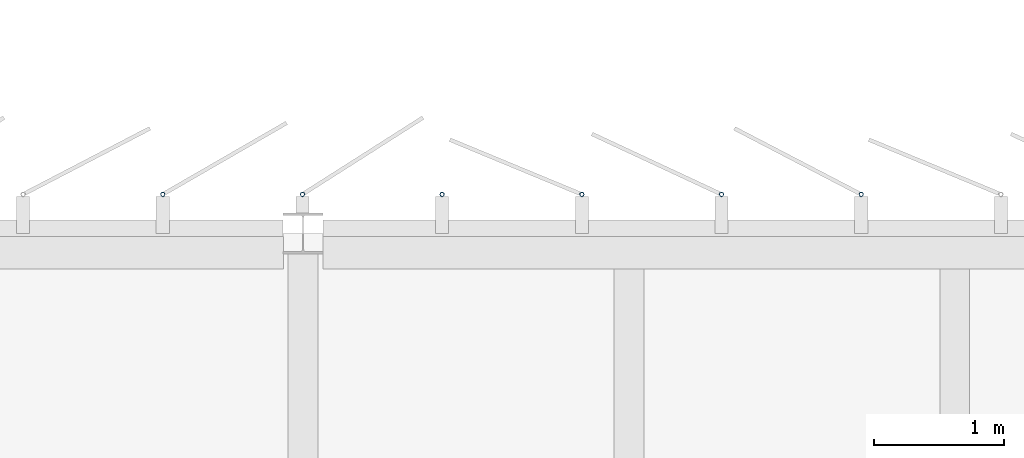
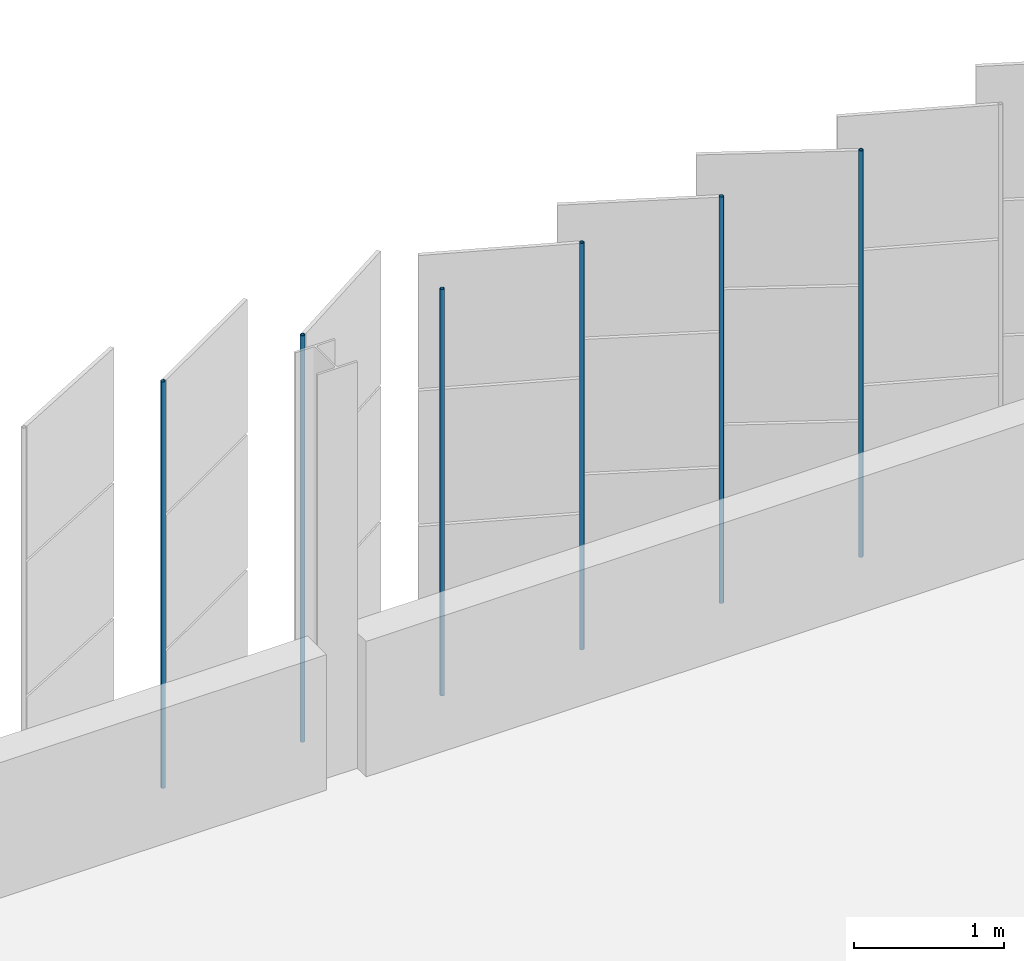
# One storey, part 161 of 214: 6 discrete accessories.
"""IFC4 building model written with IfcOpenShell, lengths in metres."""

import ifcopenshell
import ifcopenshell.guid

model = None  # the IFC model being written
_history = None  # IfcOwnerHistory: only IFC2X3 demands one
_inside = {}  # id of a spatial element -> (the spatial element, [elements in it])
_under = {}  # id of a project, library or spatial element -> (it, [spatial elements below it])
_declared = {}  # id of a project -> (the project, [libraries it declares])
_typed = {}  # id of a type object -> (the type object, [elements of that type])
_made_of = {}  # id of a material, layer set ... -> (it, [elements and type objects made of it])


def new_model(schema):
    """Start an empty IFC model of exactly this schema.

    Asked for "IFC4X3", IfcOpenShell would pick the latest addendum, in which some entities
    have other attributes; the version numbers below select the first issue.
    IFC2X3 requires an IfcOwnerHistory on every rooted entity: one is made here for all.
    """
    global model, _history
    if schema == "IFC4X3":
        model = ifcopenshell.file(schema_version=(4, 3, 0, 0))
    else:
        model = ifcopenshell.file(schema=schema)
    _inside.clear()
    _under.clear()
    _declared.clear()
    _typed.clear()
    _made_of.clear()
    _history = None
    if model.schema == "IFC2X3":
        org = make("IfcOrganization", Name="unknown")
        user = make(
            "IfcPersonAndOrganization",
            ThePerson=make("IfcPerson", FamilyName="unknown"),
            TheOrganization=org,
        )
        app = make(
            "IfcApplication",
            ApplicationDeveloper=org,
            Version="unknown",
            ApplicationFullName="unknown",
            ApplicationIdentifier="unknown",
        )
        _history = make(
            "IfcOwnerHistory",
            OwningUser=user,
            OwningApplication=app,
            ChangeAction="ADDED",
            CreationDate=0,
        )
    return model


def make(cls, **values):
    """One entity of the class cls with the attributes given. An attribute that is None is left unset."""
    return model.create_entity(
        cls, **{name: value for name, value in values.items() if value is not None}
    )


def rooted(cls, **values):
    """An entity with a GlobalId (a new one), such as an element, a storey or a relation."""
    return make(cls, GlobalId=ifcopenshell.guid.new(), OwnerHistory=_history, **values)


def si_unit(unit_type, name, prefix=None):
    """IfcSIUnit, for example si_unit("LENGTHUNIT", "METRE", prefix="MILLI")."""
    return make("IfcSIUnit", UnitType=unit_type, Prefix=prefix, Name=name)


def assignment(units):
    """IfcUnitAssignment: the units of a project."""
    return None if units is None else make("IfcUnitAssignment", Units=units)


def point(xyz):
    """IfcCartesianPoint."""
    return None if xyz is None else make("IfcCartesianPoint", Coordinates=xyz)


def direction(xyz):
    """IfcDirection."""
    return None if xyz is None else make("IfcDirection", DirectionRatios=xyz)


def frame(location, z_axis=None, x_axis=None):
    """IfcAxis2Placement3D, a coordinate frame: its origin and axes. An axis left out is left unset."""
    return make(
        "IfcAxis2Placement3D",
        Location=point(location),
        Axis=direction(z_axis),
        RefDirection=direction(x_axis),
    )


def frame_2d(location, x_axis=None):
    """IfcAxis2Placement2D, a coordinate frame in the plane: its origin and x axis."""
    return make(
        "IfcAxis2Placement2D", Location=point(location), RefDirection=direction(x_axis)
    )


def origin():
    """The frame at (0, 0, 0) with its axes left unset."""
    return frame((0.0, 0.0, 0.0))


def origin_2d():
    """The frame at (0, 0) in the plane with its x axis left unset."""
    return frame_2d((0.0, 0.0))


def place(relative_to, where):
    """IfcLocalPlacement: puts the frame where relative to a parent placement (None: the world)."""
    return make(
        "IfcLocalPlacement", PlacementRelTo=relative_to, RelativePlacement=where
    )


def context(
    kind, dimensions, precision=None, world=None, true_north=None, identifier=None
):
    """IfcGeometricRepresentationContext, for example the 3D "Model" context."""
    return make(
        "IfcGeometricRepresentationContext",
        ContextIdentifier=identifier,
        ContextType=kind,
        CoordinateSpaceDimension=dimensions,
        Precision=precision,
        WorldCoordinateSystem=world,
        TrueNorth=true_north,
    )


def subcontext(parent, identifier, kind, view, scale=None):
    """IfcGeometricRepresentationSubContext, for example "Body" below "Model"."""
    return make(
        "IfcGeometricRepresentationSubContext",
        ContextIdentifier=identifier,
        ContextType=kind,
        ParentContext=parent,
        TargetScale=scale,
        TargetView=view,
    )


def project(units=None, contexts=None):
    """IfcProject with its units and contexts."""
    return rooted(
        "IfcProject",
        Name="project",
        RepresentationContexts=contexts,
        UnitsInContext=assignment(units),
    )


def spatial(cls, under=None, at=None, **own):
    """A site, building, storey or space (cls), placed at a placement, below another one or the project."""
    s = rooted(cls, ObjectPlacement=at, **own)
    if under is not None:
        _under.setdefault(under.id(), (under, []))[1].append(s)
    return s


def profile(cls, at=None, kind="AREA", **sizes):
    """A parametric profile (cls). Its sizes go by their IFC names, for example OverallWidth=200.0."""
    return make(cls, ProfileType=kind, Position=at, **sizes)


def hollow_circle(**sizes):
    """IfcCircleHollowProfileDef."""
    return profile("IfcCircleHollowProfileDef", **sizes)


def extrude(swept, where, along, depth):
    """IfcExtrudedAreaSolid: the profile swept, set in the frame where, extruded along a direction by depth."""
    return make(
        "IfcExtrudedAreaSolid",
        SweptArea=swept,
        Position=where,
        ExtrudedDirection=direction(along),
        Depth=depth,
    )


def shape(context_of_items, identifier, shape_type, items):
    """IfcShapeRepresentation: the items that make up one representation, for example the "Body"."""
    return make(
        "IfcShapeRepresentation",
        ContextOfItems=context_of_items,
        RepresentationIdentifier=identifier,
        RepresentationType=shape_type,
        Items=items,
    )


def material(Name=None, Category=None):
    """IfcMaterial."""
    return make("IfcMaterial", Name=Name, Category=Category)


def material_profile(
    of_material, cross_section, Name=None, Category=None, Priority=None
):
    """IfcMaterialProfile: a cross section and its material."""
    return make(
        "IfcMaterialProfile",
        Name=Name,
        Material=of_material,
        Profile=cross_section,
        Priority=Priority,
        Category=Category,
    )


def profile_set(profiles, Name=None, composite=None):
    """IfcMaterialProfileSet."""
    return make(
        "IfcMaterialProfileSet",
        Name=Name,
        MaterialProfiles=profiles,
        CompositeProfile=composite,
    )


def made_of(thing, what):
    """Note that an element or type object is made of a material, layer set ...; save() writes the relation."""
    if what is not None:
        _made_of.setdefault(what.id(), (what, []))[1].append(thing)
    return thing


def type_object(cls, material=None, **own):
    """A type object (cls), such as IfcWallType, which elements share."""
    return made_of(rooted(cls, **own), material)


def element(
    cls,
    number,
    at=None,
    inside=None,
    cuts=None,
    type_object=None,
    material=None,
    context=None,
    identifier="Body",
    shape_type=None,
    held_by="IfcProductDefinitionShape",
    body=None,
    shapes=None,
    **own,
):
    """One element of the class cls, such as IfcWall. Its Tag is "e" and its number.

    at: its placement. inside: the storey or other place that contains it. cuts: it is an
    opening in that element (IfcRelVoidsElement). A single representation is given by context,
    identifier, shape_type and body (its items); several are given by shapes. held_by: the class
    of the entity that holds the representations. save() writes the other relations.
    """
    e = rooted(cls, Tag="e%d" % number, ObjectPlacement=at, **own)
    if body is not None:
        shapes = [shape(context, identifier, shape_type, body)]
    if shapes is not None:
        e.Representation = make(held_by, Representations=shapes)
    if inside is not None:
        _inside.setdefault(inside.id(), (inside, []))[1].append(e)
    if cuts is not None:
        rooted(
            "IfcRelVoidsElement", RelatingBuildingElement=cuts, RelatedOpeningElement=e
        )
    if type_object is not None:
        _typed.setdefault(type_object.id(), (type_object, []))[1].append(e)
    return made_of(e, material)


def aggregate(whole, parts):
    """IfcRelAggregates: a whole, such as a stair, and the parts it consists of."""
    return rooted("IfcRelAggregates", RelatingObject=whole, RelatedObjects=parts)


def save(model, path):
    """Write the relations noted so far, then the file.

    IfcRelAggregates (storeys below a building ...), IfcRelContainedInSpatialStructure (elements
    in a storey), IfcRelDefinesByType, IfcRelAssociatesMaterial and IfcRelDeclares: one each for
    every whole, place, type object, material and project.
    """
    for whole, parts in _under.values():
        aggregate(whole, parts)
    for where, things in _inside.values():
        rooted(
            "IfcRelContainedInSpatialStructure",
            RelatedElements=things,
            RelatingStructure=where,
        )
    for kind, things in _typed.values():
        rooted("IfcRelDefinesByType", RelatedObjects=things, RelatingType=kind)
    for what, things in _made_of.values():
        rooted("IfcRelAssociatesMaterial", RelatedObjects=things, RelatingMaterial=what)
    for by, libraries in _declared.values():
        rooted("IfcRelDeclares", RelatingContext=by, RelatedDefinitions=libraries)
    model.write(path)


model = new_model("IFC4")

# Units and contexts
model_context = context("Model", 3, precision=1e-05, world=origin(), true_north=direction((0.0, 1.0)))
body_context = subcontext(model_context, "Body", "Model", "MODEL_VIEW")
ifc_project = project(units=[si_unit("LENGTHUNIT", "METRE"), si_unit("AREAUNIT", "SQUARE_METRE"), si_unit("VOLUMEUNIT", "CUBIC_METRE"), si_unit("PLANEANGLEUNIT", "RADIAN"), si_unit("MASSUNIT", "GRAM", prefix="KILO")], contexts=[model_context])

# Site, building, storey
site_placement = place(None, origin())
site = spatial("IfcSite", under=ifc_project, at=site_placement, CompositionType="ELEMENT")
building_placement = place(site_placement, origin())
building = spatial("IfcBuilding", under=site, at=building_placement, Name="Parallax Yard Mobility Hub", CompositionType="ELEMENT")
storey_placement = place(building_placement, frame((0.0, 0.0, 3.300048828125)))
storey = spatial("IfcBuildingStorey", under=building, at=storey_placement, Name="L01", CompositionType="ELEMENT", Elevation=3.300048828125)

# Discrete accessories
ifc_material = material(Name="Steel ASTM A500 Gr C, hot-dip galvanised", Category="steel")
ifc_material_profile = material_profile(ifc_material, hollow_circle(Radius=0.016845703125, WallThickness=0.003173828125, at=origin_2d()), Name="CHS 33.7x3.2")
ifc_profile_set = profile_set([ifc_material_profile], Name="Steel ASTM A500 Gr C, hot-dip galvanised")
discrete_accessory_type = type_object("IfcDiscreteAccessoryType", Name="Hinge post CHS 33.7x3.2", PredefinedType="BRACKET", material=ifc_profile_set)
for number, where, z_axis, x_axis, name in (
    (1, (124.281982421875, 142.800048828125, 0.0), (0.0, 0.0, 1.0), (1.0, 0.0, 0.0), "Hinge post bay 57.4 level L01"),
    (2, (123.210205078125, 142.800048828125, 0.0), (0.0, 0.0, 1.0), (1.0, 0.0, 0.0), "Hinge post bay 57.5 level L01"),
    (3, (122.138916015625, 142.800048828125, 0.0), (0.0, 0.0, 1.0), (1.0, 0.0, 0.0), "Hinge post bay 57.6 level L01"),
    (4, (121.067138671875, 142.800048828125, 0.0), (0.0, 0.0, 1.0), (1.0, 0.0, 0.0), "Hinge post bay 57.7 level L01"),
    (5, (119.99560546875, 142.800048828125, 0.0), (0.0, 0.0, 1.0), (1.0, 0.0, 0.0), "Hinge post bay 58.1 level L01"),
    (6, (118.924072265625, 142.800048828125, 0.0), (0.0, 0.0, 1.0), (1.0, 0.0, 0.0), "Hinge post bay 58.2 level L01"),
):
    element("IfcDiscreteAccessory", number, at=place(storey_placement, frame(where, z_axis=z_axis, x_axis=x_axis)), inside=storey, type_object=discrete_accessory_type, Name=name, PredefinedType="BRACKET", context=body_context, shape_type="SweptSolid", body=[
        extrude(hollow_circle(Radius=0.016845703125, WallThickness=0.003173828125, at=origin_2d()), origin(), (0.0, 0.0, 1.0), 3.300048828125),
    ])

save(model, "model.ifc")
